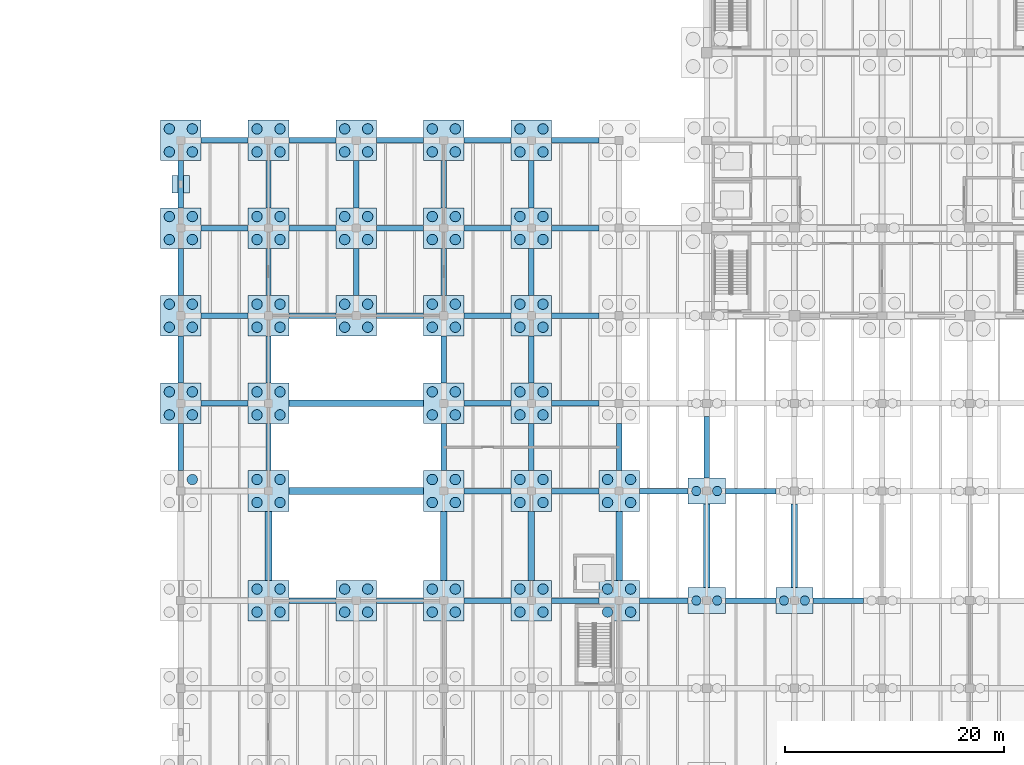
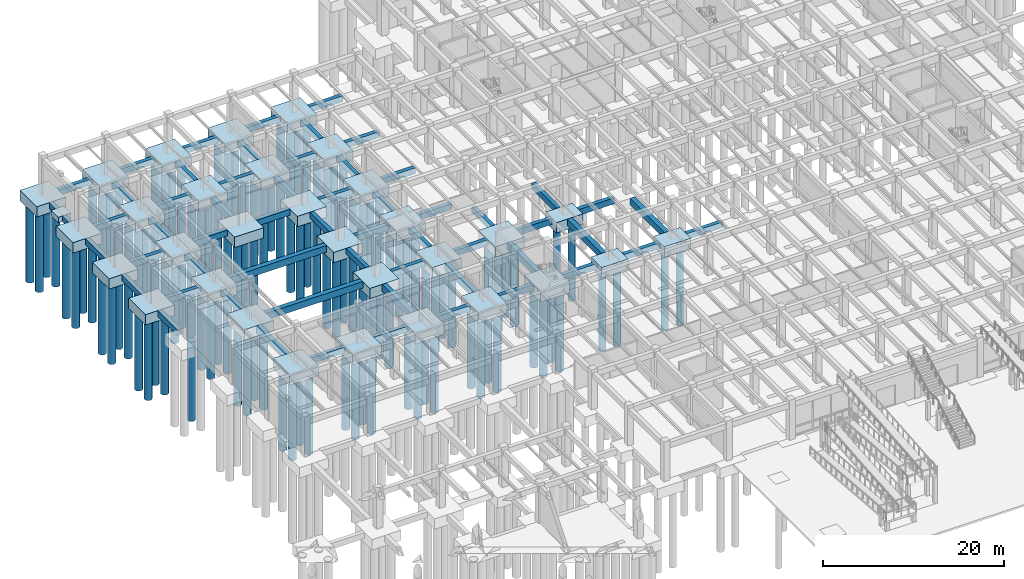
# One storey, part 4 of 44: 119 piles, 89 footings.
"""IFC4 building model written with IfcOpenShell, lengths in metres."""

from ifc_helpers import new_model, si_unit, direction, frame, origin, origin_2d, place, context, subcontext, project, spatial, rectangle, circle, extrude, material, material_profile, profile_set, type_object, element, save


model = new_model("IFC4")

# Units and contexts
model_context = context("Model", 3, precision=1e-05, world=origin(), true_north=direction((0.0, 1.0)))
body_context = subcontext(model_context, "Body", "Model", "MODEL_VIEW")
ifc_project = project(units=[si_unit("LENGTHUNIT", "METRE"), si_unit("AREAUNIT", "SQUARE_METRE"), si_unit("VOLUMEUNIT", "CUBIC_METRE"), si_unit("PLANEANGLEUNIT", "RADIAN"), si_unit("MASSUNIT", "GRAM", prefix="KILO")], contexts=[model_context])

# Site, building, storey
site_placement = place(None, origin())
site = spatial("IfcSite", under=ifc_project, at=site_placement, CompositionType="ELEMENT")
building_placement = place(site_placement, origin())
building = spatial("IfcBuilding", under=site, at=building_placement, Name="Pecanmere Concourse Central Library", CompositionType="ELEMENT")
storey_placement = place(building_placement, frame((0.0, 0.0, -5.39990234375)))
storey = spatial("IfcBuildingStorey", under=building, at=storey_placement, Name="B1", CompositionType="ELEMENT", Elevation=-5.39990234375)

# Footings
ifc_material_1 = material(Name="Concrete C40/50", Category="concrete")
ifc_material_profile_1 = material_profile(ifc_material_1, rectangle(XDim=0.5, YDim=0.800048828125, at=origin_2d()), Name="RC 500x800")
ifc_profile_set_1 = profile_set([ifc_material_profile_1], Name="Concrete C40/50")
footing_type_1 = type_object("IfcFootingType", Name="GBEAM_500x800", PredefinedType="FOOTING_BEAM", material=ifc_profile_set_1)
for number, where, z_axis, x_axis, name in (
    (1, (36.0, 64.0, -0.80029296875), (0.0, 0.0, 1.0), (1.0, 0.0, 0.0), "Foundation Tie Beam X-122"),
    (2, (44.0, 64.0, -0.80029296875), (0.0, 0.0, 1.0), (1.0, 0.0, 0.0), "Foundation Tie Beam X-123"),
    (3, (52.0, 64.0, -0.80029296875), (0.0, 0.0, 1.0), (1.0, 0.0, 0.0), "Foundation Tie Beam X-124"),
    (4, (60.0, 64.0, -0.80029296875), (0.0, 0.0, 1.0), (1.0, 0.0, 0.0), "Foundation Tie Beam X-125"),
):
    element("IfcFooting", number, at=place(storey_placement, frame(where, z_axis=z_axis, x_axis=x_axis)), inside=storey, type_object=footing_type_1, Name=name, PredefinedType="FOOTING_BEAM", context=body_context, shape_type="SweptSolid", body=[
        extrude(rectangle(XDim=4.300048828125, YDim=0.5, at=origin_2d()), origin(), (0.0, 0.0, 1.0), 0.800048828125),
    ])
footing_1_placement = place(storey_placement, frame((68.074951171875, 64.0, -0.80029296875), z_axis=(0.0, 0.0, 1.0), x_axis=(1.0, 0.0, 0.0)))
element("IfcFooting", 5, at=footing_1_placement, inside=storey, type_object=footing_type_1, Name="Foundation Tie Beam X-126", PredefinedType="FOOTING_BEAM", context=body_context, shape_type="SweptSolid", body=[
    extrude(rectangle(XDim=4.449951171875, YDim=0.5, at=origin_2d()), origin(), (0.0, 0.0, 1.0), 0.800048828125),
])
for number, where, z_axis, x_axis, name in (
    (6, (76.0, 64.0, -0.80029296875), (0.0, 0.0, 1.0), (1.0, 0.0, 0.0), "Foundation Tie Beam X-127"),
    (7, (84.0, 64.0, -0.80029296875), (0.0, 0.0, 1.0), (1.0, 0.0, 0.0), "Foundation Tie Beam X-128"),
):
    element("IfcFooting", number, at=place(storey_placement, frame(where, z_axis=z_axis, x_axis=x_axis)), inside=storey, type_object=footing_type_1, Name=name, PredefinedType="FOOTING_BEAM", context=body_context, shape_type="SweptSolid", body=[
        extrude(rectangle(XDim=4.60009765625, YDim=0.5, at=origin_2d()), origin(), (0.0, 0.0, 1.0), 0.800048828125),
    ])
for number, where, z_axis, x_axis, name in (
    (8, (52.0, 74.0, -0.80029296875), (0.0, 0.0, 1.0), (1.0, 0.0, 0.0), "Foundation Tie Beam X-139"),
    (9, (60.0, 74.0, -0.80029296875), (0.0, 0.0, 1.0), (1.0, 0.0, 0.0), "Foundation Tie Beam X-140"),
):
    element("IfcFooting", number, at=place(storey_placement, frame(where, z_axis=z_axis, x_axis=x_axis)), inside=storey, type_object=footing_type_1, Name=name, PredefinedType="FOOTING_BEAM", context=body_context, shape_type="SweptSolid", body=[
        extrude(rectangle(XDim=4.300048828125, YDim=0.5, at=origin_2d()), origin(), (0.0, 0.0, 1.0), 0.800048828125),
    ])
footing_2_placement = place(storey_placement, frame((68.074951171875, 74.0, -0.80029296875), z_axis=(0.0, 0.0, 1.0), x_axis=(1.0, 0.0, 0.0)))
element("IfcFooting", 10, at=footing_2_placement, inside=storey, type_object=footing_type_1, Name="Foundation Tie Beam X-141", PredefinedType="FOOTING_BEAM", context=body_context, shape_type="SweptSolid", body=[
    extrude(rectangle(XDim=4.449951171875, YDim=0.5, at=origin_2d()), origin(), (0.0, 0.0, 1.0), 0.800048828125),
])
footing_3_placement = place(storey_placement, frame((76.0, 74.0, -0.80029296875), z_axis=(0.0, 0.0, 1.0), x_axis=(1.0, 0.0, 0.0)))
element("IfcFooting", 11, at=footing_3_placement, inside=storey, type_object=footing_type_1, Name="Foundation Tie Beam X-142", PredefinedType="FOOTING_BEAM", context=body_context, shape_type="SweptSolid", body=[
    extrude(rectangle(XDim=4.60009765625, YDim=0.5, at=origin_2d()), origin(), (0.0, 0.0, 1.0), 0.800048828125),
])
for number, where, z_axis, x_axis, name in (
    (12, (28.0, 82.0, -0.80029296875), (0.0, 0.0, 1.0), (1.0, 0.0, 0.0), "Foundation Tie Beam X-151"),
    (13, (52.0, 82.0, -0.80029296875), (0.0, 0.0, 1.0), (1.0, 0.0, 0.0), "Foundation Tie Beam X-153"),
    (14, (60.0, 82.0, -0.80029296875), (0.0, 0.0, 1.0), (1.0, 0.0, 0.0), "Foundation Tie Beam X-154"),
    (15, (28.0, 90.0, -0.80029296875), (0.0, 0.0, 1.0), (1.0, 0.0, 0.0), "Foundation Tie Beam X-165"),
    (16, (36.0, 90.0, -0.80029296875), (0.0, 0.0, 1.0), (1.0, 0.0, 0.0), "Foundation Tie Beam X-166"),
    (17, (44.0, 90.0, -0.80029296875), (0.0, 0.0, 1.0), (1.0, 0.0, 0.0), "Foundation Tie Beam X-167"),
    (18, (52.0, 90.0, -0.80029296875), (0.0, 0.0, 1.0), (1.0, 0.0, 0.0), "Foundation Tie Beam X-168"),
    (19, (60.0, 90.0, -0.80029296875), (0.0, 0.0, 1.0), (1.0, 0.0, 0.0), "Foundation Tie Beam X-169"),
    (20, (28.0, 98.0, -0.80029296875), (0.0, 0.0, 1.0), (1.0, 0.0, 0.0), "Foundation Tie Beam X-181"),
    (21, (36.0, 98.0, -0.80029296875), (0.0, 0.0, 1.0), (1.0, 0.0, 0.0), "Foundation Tie Beam X-182"),
    (22, (44.0, 98.0, -0.80029296875), (0.0, 0.0, 1.0), (1.0, 0.0, 0.0), "Foundation Tie Beam X-183"),
    (23, (52.0, 98.0, -0.80029296875), (0.0, 0.0, 1.0), (1.0, 0.0, 0.0), "Foundation Tie Beam X-184"),
    (24, (60.0, 98.0, -0.80029296875), (0.0, 0.0, 1.0), (1.0, 0.0, 0.0), "Foundation Tie Beam X-185"),
    (25, (28.0, 106.0, -0.80029296875), (0.0, 0.0, 1.0), (1.0, 0.0, 0.0), "Foundation Tie Beam X-197"),
    (26, (36.0, 106.0, -0.80029296875), (0.0, 0.0, 1.0), (1.0, 0.0, 0.0), "Foundation Tie Beam X-198"),
    (27, (44.0, 106.0, -0.80029296875), (0.0, 0.0, 1.0), (1.0, 0.0, 0.0), "Foundation Tie Beam X-199"),
    (28, (52.0, 106.0, -0.80029296875), (0.0, 0.0, 1.0), (1.0, 0.0, 0.0), "Foundation Tie Beam X-200"),
    (29, (60.0, 106.0, -0.80029296875), (0.0, 0.0, 1.0), (1.0, 0.0, 0.0), "Foundation Tie Beam X-201"),
    (30, (24.0, 78.0, -0.80029296875), (0.0, 0.0, 1.0), (0.0, 1.0, 0.0), "Foundation Tie Beam Y-241"),
    (31, (24.0, 86.0, -0.80029296875), (0.0, 0.0, 1.0), (0.0, 1.0, 0.0), "Foundation Tie Beam Y-242"),
    (32, (24.0, 94.0, -0.80029296875), (0.0, 0.0, 1.0), (0.0, 1.0, 0.0), "Foundation Tie Beam Y-243"),
    (33, (24.0, 102.0, -0.80029296875), (0.0, 0.0, 1.0), (0.0, 1.0, 0.0), "Foundation Tie Beam Y-244"),
    (34, (32.0, 78.0, -0.80029296875), (0.0, 0.0, 1.0), (0.0, 1.0, 0.0), "Foundation Tie Beam Y-253"),
    (35, (32.0, 86.0, -0.80029296875), (0.0, 0.0, 1.0), (0.0, 1.0, 0.0), "Foundation Tie Beam Y-254"),
    (36, (32.0, 94.0, -0.80029296875), (0.0, 0.0, 1.0), (0.0, 1.0, 0.0), "Foundation Tie Beam Y-255"),
    (37, (32.0, 102.0, -0.80029296875), (0.0, 0.0, 1.0), (0.0, 1.0, 0.0), "Foundation Tie Beam Y-256"),
    (38, (40.0, 94.0, -0.80029296875), (0.0, 0.0, 1.0), (0.0, 1.0, 0.0), "Foundation Tie Beam Y-264"),
    (39, (40.0, 102.0, -0.80029296875), (0.0, 0.0, 1.0), (0.0, 1.0, 0.0), "Foundation Tie Beam Y-265"),
    (40, (48.0, 78.0, -0.80029296875), (0.0, 0.0, 1.0), (0.0, 1.0, 0.0), "Foundation Tie Beam Y-274"),
    (41, (48.0, 86.0, -0.80029296875), (0.0, 0.0, 1.0), (0.0, 1.0, 0.0), "Foundation Tie Beam Y-275"),
    (42, (48.0, 94.0, -0.80029296875), (0.0, 0.0, 1.0), (0.0, 1.0, 0.0), "Foundation Tie Beam Y-276"),
    (43, (48.0, 102.0, -0.80029296875), (0.0, 0.0, 1.0), (0.0, 1.0, 0.0), "Foundation Tie Beam Y-277"),
    (44, (56.0, 78.0, -0.80029296875), (0.0, 0.0, 1.0), (0.0, 1.0, 0.0), "Foundation Tie Beam Y-284"),
    (45, (56.0, 86.0, -0.80029296875), (0.0, 0.0, 1.0), (0.0, 1.0, 0.0), "Foundation Tie Beam Y-285"),
    (46, (56.0, 94.0, -0.80029296875), (0.0, 0.0, 1.0), (0.0, 1.0, 0.0), "Foundation Tie Beam Y-286"),
    (47, (56.0, 102.0, -0.80029296875), (0.0, 0.0, 1.0), (0.0, 1.0, 0.0), "Foundation Tie Beam Y-287"),
    (48, (64.0, 78.0, -0.80029296875), (0.0, 0.0, 1.0), (0.0, 1.0, 0.0), "Foundation Tie Beam Y-294"),
):
    element("IfcFooting", number, at=place(storey_placement, frame(where, z_axis=z_axis, x_axis=x_axis)), inside=storey, type_object=footing_type_1, Name=name, PredefinedType="FOOTING_BEAM", context=body_context, shape_type="SweptSolid", body=[
        extrude(rectangle(XDim=4.300048828125, YDim=0.5, at=origin_2d()), origin(), (0.0, 0.0, 1.0), 0.800048828125),
    ])
footing_4_placement = place(storey_placement, frame((72.0, 78.0, -0.80029296875), z_axis=(0.0, 0.0, 1.0), x_axis=(0.0, 1.0, 0.0)))
element("IfcFooting", 49, at=footing_4_placement, inside=storey, type_object=footing_type_1, Name="Foundation Tie Beam Y-304", PredefinedType="FOOTING_BEAM", context=body_context, shape_type="SweptSolid", body=[
    extrude(rectangle(XDim=5.60009765625, YDim=0.5, at=origin_2d()), origin(), (0.0, 0.0, 1.0), 0.800048828125),
])
ifc_material_2 = material(Name="Concrete C40/50", Category="concrete")
ifc_material_profile_2 = material_profile(ifc_material_2, rectangle(XDim=0.60009765625, YDim=0.89990234375, at=origin_2d()), Name="RC 600x900")
ifc_profile_set_2 = profile_set([ifc_material_profile_2], Name="Concrete C40/50")
footing_type_2 = type_object("IfcFootingType", Name="GBEAM_600x900", PredefinedType="FOOTING_BEAM", material=ifc_profile_set_2)
for number, where, z_axis, x_axis, name in (
    (50, (40.0, 74.0, -0.900146484375), (0.0, 0.0, 1.0), (1.0, 0.0, 0.0), "Foundation Tie Beam X-138"),
    (51, (40.0, 82.0, -0.900146484375), (0.0, 0.0, 1.0), (1.0, 0.0, 0.0), "Foundation Tie Beam X-152"),
):
    element("IfcFooting", number, at=place(storey_placement, frame(where, z_axis=z_axis, x_axis=x_axis)), inside=storey, type_object=footing_type_2, Name=name, PredefinedType="FOOTING_BEAM", context=body_context, shape_type="SweptSolid", body=[
        extrude(rectangle(XDim=12.300048828125, YDim=0.60009765625, at=origin_2d()), origin(), (0.0, 0.0, 1.0), 0.89990234375),
    ])
for number, where, z_axis, x_axis, name in (
    (52, (32.0, 69.0, -0.900146484375), (0.0, 0.0, 1.0), (0.0, 1.0, 0.0), "Foundation Tie Beam Y-252"),
    (53, (48.0, 69.0, -0.900146484375), (0.0, 0.0, 1.0), (0.0, 1.0, 0.0), "Foundation Tie Beam Y-273"),
    (54, (56.0, 69.0, -0.900146484375), (0.0, 0.0, 1.0), (0.0, 1.0, 0.0), "Foundation Tie Beam Y-283"),
    (55, (64.0, 69.0, -0.900146484375), (0.0, 0.0, 1.0), (0.0, 1.0, 0.0), "Foundation Tie Beam Y-293"),
):
    element("IfcFooting", number, at=place(storey_placement, frame(where, z_axis=z_axis, x_axis=x_axis)), inside=storey, type_object=footing_type_2, Name=name, PredefinedType="FOOTING_BEAM", context=body_context, shape_type="SweptSolid", body=[
        extrude(rectangle(XDim=6.300048828125, YDim=0.60009765625, at=origin_2d()), origin(), (0.0, 0.0, 1.0), 0.89990234375),
    ])
for number, where, z_axis, x_axis, name in (
    (56, (72.0, 69.0, -0.900146484375), (0.0, 0.0, 1.0), (0.0, 1.0, 0.0), "Foundation Tie Beam Y-303"),
    (57, (80.0, 69.0, -0.900146484375), (0.0, 0.0, 1.0), (0.0, 1.0, 0.0), "Foundation Tie Beam Y-315"),
):
    element("IfcFooting", number, at=place(storey_placement, frame(where, z_axis=z_axis, x_axis=x_axis)), inside=storey, type_object=footing_type_2, Name=name, PredefinedType="FOOTING_BEAM", context=body_context, shape_type="SweptSolid", body=[
        extrude(rectangle(XDim=7.60009765625, YDim=0.60009765625, at=origin_2d()), origin(), (0.0, 0.0, 1.0), 0.89990234375),
    ])
ifc_material_3 = material(Name="Concrete C35/45", Category="concrete")
footing_type_3 = type_object("IfcFootingType", Name="PAD_1600x1600", PredefinedType="PAD_FOOTING", material=ifc_material_3)
footing_5_placement = place(storey_placement, frame((24.0, 102.0, -0.75), z_axis=(0.0, 0.0, 1.0), x_axis=(1.0, 0.0, 0.0)))
element("IfcFooting", 58, at=footing_5_placement, inside=storey, type_object=footing_type_3, Name="Pilaster Pad Footing 02", PredefinedType="PAD_FOOTING", context=body_context, shape_type="SweptSolid", body=[
    extrude(rectangle(XDim=1.60009765625, YDim=1.60009765625, at=origin_2d()), origin(), (0.0, 0.0, 1.0), 0.75),
])
ifc_material_4 = material(Name="Concrete C40/50", Category="concrete")
footing_type_4 = type_object("IfcFootingType", Name="PCAP_3400x2400", PredefinedType="PILE_CAP", material=ifc_material_4)
for number, where, z_axis, x_axis, name in (
    (59, (72.0, 64.0, -1.400146484375), (0.0, 0.0, 1.0), (1.0, 0.0, 0.0), "Drilled Pier Cap PC-05 at (72,64)"),
    (60, (72.0, 74.0, -1.400146484375), (0.0, 0.0, 1.0), (1.0, 0.0, 0.0), "Drilled Pier Cap PC-05 at (72,74)"),
    (61, (80.0, 64.0, -1.400146484375), (0.0, 0.0, 1.0), (1.0, 0.0, 0.0), "Drilled Pier Cap PC-05 at (80,64)"),
):
    element("IfcFooting", number, at=place(storey_placement, frame(where, z_axis=z_axis, x_axis=x_axis)), inside=storey, type_object=footing_type_4, Name=name, PredefinedType="PILE_CAP", context=body_context, shape_type="SweptSolid", body=[
        extrude(rectangle(XDim=3.39990234375, YDim=2.39990234375, at=origin_2d()), origin(), (0.0, 0.0, 1.0), 1.39990234375),
    ])
ifc_material_5 = material(Name="Concrete C40/50", Category="concrete")
footing_type_5 = type_object("IfcFootingType", Name="PCAP_3700x3700", PredefinedType="PILE_CAP", material=ifc_material_5)
for number, where, z_axis, x_axis, name in (
    (62, (24.0, 82.0, -1.400146484375), (0.0, 0.0, 1.0), (1.0, 0.0, 0.0), "Drilled Pier Cap PC-03 at (24,82)"),
    (63, (24.0, 90.0, -1.400146484375), (0.0, 0.0, 1.0), (1.0, 0.0, 0.0), "Drilled Pier Cap PC-03 at (24,90)"),
    (64, (24.0, 98.0, -1.400146484375), (0.0, 0.0, 1.0), (1.0, 0.0, 0.0), "Drilled Pier Cap PC-03 at (24,98)"),
    (65, (24.0, 106.0, -1.400146484375), (0.0, 0.0, 1.0), (1.0, 0.0, 0.0), "Drilled Pier Cap PC-03 at (24,106)"),
    (66, (32.0, 64.0, -1.400146484375), (0.0, 0.0, 1.0), (1.0, 0.0, 0.0), "Drilled Pier Cap PC-03 at (32,64)"),
    (67, (32.0, 74.0, -1.400146484375), (0.0, 0.0, 1.0), (1.0, 0.0, 0.0), "Drilled Pier Cap PC-03 at (32,74)"),
    (68, (32.0, 82.0, -1.400146484375), (0.0, 0.0, 1.0), (1.0, 0.0, 0.0), "Drilled Pier Cap PC-03 at (32,82)"),
    (69, (32.0, 90.0, -1.400146484375), (0.0, 0.0, 1.0), (1.0, 0.0, 0.0), "Drilled Pier Cap PC-03 at (32,90)"),
    (70, (32.0, 98.0, -1.400146484375), (0.0, 0.0, 1.0), (1.0, 0.0, 0.0), "Drilled Pier Cap PC-03 at (32,98)"),
    (71, (32.0, 106.0, -1.400146484375), (0.0, 0.0, 1.0), (1.0, 0.0, 0.0), "Drilled Pier Cap PC-03 at (32,106)"),
    (72, (40.0, 64.0, -1.400146484375), (0.0, 0.0, 1.0), (1.0, 0.0, 0.0), "Drilled Pier Cap PC-03 at (40,64)"),
    (73, (40.0, 90.0, -1.400146484375), (0.0, 0.0, 1.0), (1.0, 0.0, 0.0), "Drilled Pier Cap PC-03 at (40,90)"),
    (74, (40.0, 98.0, -1.400146484375), (0.0, 0.0, 1.0), (1.0, 0.0, 0.0), "Drilled Pier Cap PC-03 at (40,98)"),
    (75, (40.0, 106.0, -1.400146484375), (0.0, 0.0, 1.0), (1.0, 0.0, 0.0), "Drilled Pier Cap PC-03 at (40,106)"),
    (76, (48.0, 64.0, -1.400146484375), (0.0, 0.0, 1.0), (1.0, 0.0, 0.0), "Drilled Pier Cap PC-03 at (48,64)"),
    (77, (48.0, 74.0, -1.400146484375), (0.0, 0.0, 1.0), (1.0, 0.0, 0.0), "Drilled Pier Cap PC-03 at (48,74)"),
    (78, (48.0, 82.0, -1.400146484375), (0.0, 0.0, 1.0), (1.0, 0.0, 0.0), "Drilled Pier Cap PC-03 at (48,82)"),
    (79, (48.0, 90.0, -1.400146484375), (0.0, 0.0, 1.0), (1.0, 0.0, 0.0), "Drilled Pier Cap PC-03 at (48,90)"),
    (80, (48.0, 98.0, -1.400146484375), (0.0, 0.0, 1.0), (1.0, 0.0, 0.0), "Drilled Pier Cap PC-03 at (48,98)"),
    (81, (48.0, 106.0, -1.400146484375), (0.0, 0.0, 1.0), (1.0, 0.0, 0.0), "Drilled Pier Cap PC-03 at (48,106)"),
    (82, (56.0, 64.0, -1.400146484375), (0.0, 0.0, 1.0), (1.0, 0.0, 0.0), "Drilled Pier Cap PC-03 at (56,64)"),
    (83, (56.0, 74.0, -1.400146484375), (0.0, 0.0, 1.0), (1.0, 0.0, 0.0), "Drilled Pier Cap PC-03 at (56,74)"),
    (84, (56.0, 82.0, -1.400146484375), (0.0, 0.0, 1.0), (1.0, 0.0, 0.0), "Drilled Pier Cap PC-03 at (56,82)"),
    (85, (56.0, 90.0, -1.400146484375), (0.0, 0.0, 1.0), (1.0, 0.0, 0.0), "Drilled Pier Cap PC-03 at (56,90)"),
    (86, (56.0, 98.0, -1.400146484375), (0.0, 0.0, 1.0), (1.0, 0.0, 0.0), "Drilled Pier Cap PC-03 at (56,98)"),
    (87, (56.0, 106.0, -1.400146484375), (0.0, 0.0, 1.0), (1.0, 0.0, 0.0), "Drilled Pier Cap PC-03 at (56,106)"),
    (88, (64.0, 64.0, -1.400146484375), (0.0, 0.0, 1.0), (1.0, 0.0, 0.0), "Drilled Pier Cap PC-03 at (64,64)"),
    (89, (64.0, 74.0, -1.400146484375), (0.0, 0.0, 1.0), (1.0, 0.0, 0.0), "Drilled Pier Cap PC-03 at (64,74)"),
):
    element("IfcFooting", number, at=place(storey_placement, frame(where, z_axis=z_axis, x_axis=x_axis)), inside=storey, type_object=footing_type_5, Name=name, PredefinedType="PILE_CAP", context=body_context, shape_type="SweptSolid", body=[
        extrude(rectangle(XDim=3.699951171875, YDim=3.699951171875, at=origin_2d()), origin(), (0.0, 0.0, 1.0), 1.39990234375),
    ])

# Piles
ifc_material_6 = material(Name="Concrete C35/45", Category="concrete")
ifc_material_profile_3 = material_profile(ifc_material_6, circle(Radius=0.425048828125, at=origin_2d()), Name="PIER D850")
ifc_profile_set_3 = profile_set([ifc_material_profile_3], Name="Concrete C35/45")
pile_type_1 = type_object("IfcPileType", Name="PILE_D850", PredefinedType="BORED", material=ifc_profile_set_3)
for number, where, z_axis, x_axis, name in (
    (90, (71.050048828125, 64.0, -1.300048828125), (0.0, 0.0, -1.0), (1.0, 0.0, 0.0), "Bored Pier PL-05 093.1"),
    (91, (72.949951171875, 64.0, -1.300048828125), (0.0, 0.0, -1.0), (1.0, 0.0, 0.0), "Bored Pier PL-05 093.2"),
    (92, (71.050048828125, 74.0, -1.300048828125), (0.0, 0.0, -1.0), (1.0, 0.0, 0.0), "Bored Pier PL-05 094.1"),
    (93, (72.949951171875, 74.0, -1.300048828125), (0.0, 0.0, -1.0), (1.0, 0.0, 0.0), "Bored Pier PL-05 094.2"),
    (94, (79.050048828125, 64.0, -1.300048828125), (0.0, 0.0, -1.0), (1.0, 0.0, 0.0), "Bored Pier PL-05 106.1"),
    (95, (80.949951171875, 64.0, -1.300048828125), (0.0, 0.0, -1.0), (1.0, 0.0, 0.0), "Bored Pier PL-05 106.2"),
):
    element("IfcPile", number, at=place(storey_placement, frame(where, z_axis=z_axis, x_axis=x_axis)), inside=storey, type_object=pile_type_1, Name=name, PredefinedType="BORED", context=body_context, shape_type="SweptSolid", body=[
        extrude(circle(Radius=0.425048828125, at=origin_2d()), origin(), (0.0, 0.0, 1.0), 10.699951171875),
    ])
ifc_material_7 = material(Name="Concrete C35/45", Category="concrete")
ifc_material_profile_4 = material_profile(ifc_material_7, circle(Radius=0.47509765625, at=origin_2d()), Name="PIER D950")
ifc_profile_set_4 = profile_set([ifc_material_profile_4], Name="Concrete C35/45")
pile_type_2 = type_object("IfcPileType", Name="PILE_D950", PredefinedType="BORED", material=ifc_profile_set_4)
for number, where, z_axis, x_axis, name in (
    (96, (25.050048828125, 75.050048828125, -1.300048828125), (0.0, 0.0, -1.0), (1.0, 0.0, 0.0), "Bored Pier PL-04 024.4"),
    (97, (22.949951171875, 80.949951171875, -1.300048828125), (0.0, 0.0, -1.0), (1.0, 0.0, 0.0), "Bored Pier PL-04 025.1"),
    (98, (25.050048828125, 80.949951171875, -1.300048828125), (0.0, 0.0, -1.0), (1.0, 0.0, 0.0), "Bored Pier PL-04 025.2"),
    (99, (22.949951171875, 83.050048828125, -1.300048828125), (0.0, 0.0, -1.0), (1.0, 0.0, 0.0), "Bored Pier PL-04 025.3"),
    (100, (25.050048828125, 83.050048828125, -1.300048828125), (0.0, 0.0, -1.0), (1.0, 0.0, 0.0), "Bored Pier PL-04 025.4"),
    (101, (22.949951171875, 88.949951171875, -1.300048828125), (0.0, 0.0, -1.0), (1.0, 0.0, 0.0), "Bored Pier PL-04 026.1"),
    (102, (25.050048828125, 88.949951171875, -1.300048828125), (0.0, 0.0, -1.0), (1.0, 0.0, 0.0), "Bored Pier PL-04 026.2"),
    (103, (22.949951171875, 91.050048828125, -1.300048828125), (0.0, 0.0, -1.0), (1.0, 0.0, 0.0), "Bored Pier PL-04 026.3"),
    (104, (25.050048828125, 91.050048828125, -1.300048828125), (0.0, 0.0, -1.0), (1.0, 0.0, 0.0), "Bored Pier PL-04 026.4"),
    (105, (22.949951171875, 96.949951171875, -1.300048828125), (0.0, 0.0, -1.0), (1.0, 0.0, 0.0), "Bored Pier PL-04 027.1"),
    (106, (25.050048828125, 96.949951171875, -1.300048828125), (0.0, 0.0, -1.0), (1.0, 0.0, 0.0), "Bored Pier PL-04 027.2"),
    (107, (22.949951171875, 99.050048828125, -1.300048828125), (0.0, 0.0, -1.0), (1.0, 0.0, 0.0), "Bored Pier PL-04 027.3"),
    (108, (25.050048828125, 99.050048828125, -1.300048828125), (0.0, 0.0, -1.0), (1.0, 0.0, 0.0), "Bored Pier PL-04 027.4"),
    (109, (22.949951171875, 104.949951171875, -1.300048828125), (0.0, 0.0, -1.0), (1.0, 0.0, 0.0), "Bored Pier PL-04 028.1"),
    (110, (25.050048828125, 104.949951171875, -1.300048828125), (0.0, 0.0, -1.0), (1.0, 0.0, 0.0), "Bored Pier PL-04 028.2"),
    (111, (22.949951171875, 107.050048828125, -1.300048828125), (0.0, 0.0, -1.0), (1.0, 0.0, 0.0), "Bored Pier PL-04 028.3"),
    (112, (25.050048828125, 107.050048828125, -1.300048828125), (0.0, 0.0, -1.0), (1.0, 0.0, 0.0), "Bored Pier PL-04 028.4"),
    (113, (30.949951171875, 62.949951171875, -1.300048828125), (0.0, 0.0, -1.0), (1.0, 0.0, 0.0), "Bored Pier PL-04 036.1"),
    (114, (33.050048828125, 62.949951171875, -1.300048828125), (0.0, 0.0, -1.0), (1.0, 0.0, 0.0), "Bored Pier PL-04 036.2"),
    (115, (30.949951171875, 65.050048828125, -1.300048828125), (0.0, 0.0, -1.0), (1.0, 0.0, 0.0), "Bored Pier PL-04 036.3"),
    (116, (33.050048828125, 65.050048828125, -1.300048828125), (0.0, 0.0, -1.0), (1.0, 0.0, 0.0), "Bored Pier PL-04 036.4"),
    (117, (30.949951171875, 72.949951171875, -1.300048828125), (0.0, 0.0, -1.0), (1.0, 0.0, 0.0), "Bored Pier PL-04 037.1"),
    (118, (33.050048828125, 72.949951171875, -1.300048828125), (0.0, 0.0, -1.0), (1.0, 0.0, 0.0), "Bored Pier PL-04 037.2"),
    (119, (30.949951171875, 75.050048828125, -1.300048828125), (0.0, 0.0, -1.0), (1.0, 0.0, 0.0), "Bored Pier PL-04 037.3"),
    (120, (33.050048828125, 75.050048828125, -1.300048828125), (0.0, 0.0, -1.0), (1.0, 0.0, 0.0), "Bored Pier PL-04 037.4"),
    (121, (30.949951171875, 80.949951171875, -1.300048828125), (0.0, 0.0, -1.0), (1.0, 0.0, 0.0), "Bored Pier PL-04 038.1"),
    (122, (33.050048828125, 80.949951171875, -1.300048828125), (0.0, 0.0, -1.0), (1.0, 0.0, 0.0), "Bored Pier PL-04 038.2"),
    (123, (30.949951171875, 83.050048828125, -1.300048828125), (0.0, 0.0, -1.0), (1.0, 0.0, 0.0), "Bored Pier PL-04 038.3"),
    (124, (33.050048828125, 83.050048828125, -1.300048828125), (0.0, 0.0, -1.0), (1.0, 0.0, 0.0), "Bored Pier PL-04 038.4"),
    (125, (30.949951171875, 88.949951171875, -1.300048828125), (0.0, 0.0, -1.0), (1.0, 0.0, 0.0), "Bored Pier PL-04 039.1"),
    (126, (33.050048828125, 88.949951171875, -1.300048828125), (0.0, 0.0, -1.0), (1.0, 0.0, 0.0), "Bored Pier PL-04 039.2"),
    (127, (30.949951171875, 91.050048828125, -1.300048828125), (0.0, 0.0, -1.0), (1.0, 0.0, 0.0), "Bored Pier PL-04 039.3"),
    (128, (33.050048828125, 91.050048828125, -1.300048828125), (0.0, 0.0, -1.0), (1.0, 0.0, 0.0), "Bored Pier PL-04 039.4"),
    (129, (30.949951171875, 96.949951171875, -1.300048828125), (0.0, 0.0, -1.0), (1.0, 0.0, 0.0), "Bored Pier PL-04 040.1"),
    (130, (33.050048828125, 96.949951171875, -1.300048828125), (0.0, 0.0, -1.0), (1.0, 0.0, 0.0), "Bored Pier PL-04 040.2"),
    (131, (30.949951171875, 99.050048828125, -1.300048828125), (0.0, 0.0, -1.0), (1.0, 0.0, 0.0), "Bored Pier PL-04 040.3"),
    (132, (33.050048828125, 99.050048828125, -1.300048828125), (0.0, 0.0, -1.0), (1.0, 0.0, 0.0), "Bored Pier PL-04 040.4"),
    (133, (30.949951171875, 104.949951171875, -1.300048828125), (0.0, 0.0, -1.0), (1.0, 0.0, 0.0), "Bored Pier PL-04 041.1"),
    (134, (33.050048828125, 104.949951171875, -1.300048828125), (0.0, 0.0, -1.0), (1.0, 0.0, 0.0), "Bored Pier PL-04 041.2"),
    (135, (30.949951171875, 107.050048828125, -1.300048828125), (0.0, 0.0, -1.0), (1.0, 0.0, 0.0), "Bored Pier PL-04 041.3"),
    (136, (33.050048828125, 107.050048828125, -1.300048828125), (0.0, 0.0, -1.0), (1.0, 0.0, 0.0), "Bored Pier PL-04 041.4"),
    (137, (38.949951171875, 62.949951171875, -1.300048828125), (0.0, 0.0, -1.0), (1.0, 0.0, 0.0), "Bored Pier PL-04 049.1"),
    (138, (41.050048828125, 62.949951171875, -1.300048828125), (0.0, 0.0, -1.0), (1.0, 0.0, 0.0), "Bored Pier PL-04 049.2"),
    (139, (38.949951171875, 65.050048828125, -1.300048828125), (0.0, 0.0, -1.0), (1.0, 0.0, 0.0), "Bored Pier PL-04 049.3"),
    (140, (41.050048828125, 65.050048828125, -1.300048828125), (0.0, 0.0, -1.0), (1.0, 0.0, 0.0), "Bored Pier PL-04 049.4"),
    (141, (38.949951171875, 88.949951171875, -1.300048828125), (0.0, 0.0, -1.0), (1.0, 0.0, 0.0), "Bored Pier PL-04 050.1"),
    (142, (41.050048828125, 88.949951171875, -1.300048828125), (0.0, 0.0, -1.0), (1.0, 0.0, 0.0), "Bored Pier PL-04 050.2"),
    (143, (38.949951171875, 91.050048828125, -1.300048828125), (0.0, 0.0, -1.0), (1.0, 0.0, 0.0), "Bored Pier PL-04 050.3"),
    (144, (41.050048828125, 91.050048828125, -1.300048828125), (0.0, 0.0, -1.0), (1.0, 0.0, 0.0), "Bored Pier PL-04 050.4"),
    (145, (38.949951171875, 96.949951171875, -1.300048828125), (0.0, 0.0, -1.0), (1.0, 0.0, 0.0), "Bored Pier PL-04 051.1"),
    (146, (41.050048828125, 96.949951171875, -1.300048828125), (0.0, 0.0, -1.0), (1.0, 0.0, 0.0), "Bored Pier PL-04 051.2"),
    (147, (38.949951171875, 99.050048828125, -1.300048828125), (0.0, 0.0, -1.0), (1.0, 0.0, 0.0), "Bored Pier PL-04 051.3"),
    (148, (41.050048828125, 99.050048828125, -1.300048828125), (0.0, 0.0, -1.0), (1.0, 0.0, 0.0), "Bored Pier PL-04 051.4"),
    (149, (38.949951171875, 104.949951171875, -1.300048828125), (0.0, 0.0, -1.0), (1.0, 0.0, 0.0), "Bored Pier PL-04 052.1"),
    (150, (41.050048828125, 104.949951171875, -1.300048828125), (0.0, 0.0, -1.0), (1.0, 0.0, 0.0), "Bored Pier PL-04 052.2"),
    (151, (38.949951171875, 107.050048828125, -1.300048828125), (0.0, 0.0, -1.0), (1.0, 0.0, 0.0), "Bored Pier PL-04 052.3"),
    (152, (41.050048828125, 107.050048828125, -1.300048828125), (0.0, 0.0, -1.0), (1.0, 0.0, 0.0), "Bored Pier PL-04 052.4"),
    (153, (46.949951171875, 62.949951171875, -1.300048828125), (0.0, 0.0, -1.0), (1.0, 0.0, 0.0), "Bored Pier PL-04 060.1"),
    (154, (49.050048828125, 62.949951171875, -1.300048828125), (0.0, 0.0, -1.0), (1.0, 0.0, 0.0), "Bored Pier PL-04 060.2"),
    (155, (46.949951171875, 65.050048828125, -1.300048828125), (0.0, 0.0, -1.0), (1.0, 0.0, 0.0), "Bored Pier PL-04 060.3"),
    (156, (49.050048828125, 65.050048828125, -1.300048828125), (0.0, 0.0, -1.0), (1.0, 0.0, 0.0), "Bored Pier PL-04 060.4"),
    (157, (46.949951171875, 72.949951171875, -1.300048828125), (0.0, 0.0, -1.0), (1.0, 0.0, 0.0), "Bored Pier PL-04 061.1"),
    (158, (49.050048828125, 72.949951171875, -1.300048828125), (0.0, 0.0, -1.0), (1.0, 0.0, 0.0), "Bored Pier PL-04 061.2"),
    (159, (46.949951171875, 75.050048828125, -1.300048828125), (0.0, 0.0, -1.0), (1.0, 0.0, 0.0), "Bored Pier PL-04 061.3"),
    (160, (49.050048828125, 75.050048828125, -1.300048828125), (0.0, 0.0, -1.0), (1.0, 0.0, 0.0), "Bored Pier PL-04 061.4"),
    (161, (46.949951171875, 80.949951171875, -1.300048828125), (0.0, 0.0, -1.0), (1.0, 0.0, 0.0), "Bored Pier PL-04 062.1"),
    (162, (49.050048828125, 80.949951171875, -1.300048828125), (0.0, 0.0, -1.0), (1.0, 0.0, 0.0), "Bored Pier PL-04 062.2"),
    (163, (46.949951171875, 83.050048828125, -1.300048828125), (0.0, 0.0, -1.0), (1.0, 0.0, 0.0), "Bored Pier PL-04 062.3"),
    (164, (49.050048828125, 83.050048828125, -1.300048828125), (0.0, 0.0, -1.0), (1.0, 0.0, 0.0), "Bored Pier PL-04 062.4"),
    (165, (46.949951171875, 88.949951171875, -1.300048828125), (0.0, 0.0, -1.0), (1.0, 0.0, 0.0), "Bored Pier PL-04 063.1"),
    (166, (49.050048828125, 88.949951171875, -1.300048828125), (0.0, 0.0, -1.0), (1.0, 0.0, 0.0), "Bored Pier PL-04 063.2"),
    (167, (46.949951171875, 91.050048828125, -1.300048828125), (0.0, 0.0, -1.0), (1.0, 0.0, 0.0), "Bored Pier PL-04 063.3"),
    (168, (49.050048828125, 91.050048828125, -1.300048828125), (0.0, 0.0, -1.0), (1.0, 0.0, 0.0), "Bored Pier PL-04 063.4"),
    (169, (46.949951171875, 96.949951171875, -1.300048828125), (0.0, 0.0, -1.0), (1.0, 0.0, 0.0), "Bored Pier PL-04 064.1"),
    (170, (49.050048828125, 96.949951171875, -1.300048828125), (0.0, 0.0, -1.0), (1.0, 0.0, 0.0), "Bored Pier PL-04 064.2"),
    (171, (46.949951171875, 99.050048828125, -1.300048828125), (0.0, 0.0, -1.0), (1.0, 0.0, 0.0), "Bored Pier PL-04 064.3"),
    (172, (49.050048828125, 99.050048828125, -1.300048828125), (0.0, 0.0, -1.0), (1.0, 0.0, 0.0), "Bored Pier PL-04 064.4"),
    (173, (46.949951171875, 104.949951171875, -1.300048828125), (0.0, 0.0, -1.0), (1.0, 0.0, 0.0), "Bored Pier PL-04 065.1"),
    (174, (49.050048828125, 104.949951171875, -1.300048828125), (0.0, 0.0, -1.0), (1.0, 0.0, 0.0), "Bored Pier PL-04 065.2"),
    (175, (46.949951171875, 107.050048828125, -1.300048828125), (0.0, 0.0, -1.0), (1.0, 0.0, 0.0), "Bored Pier PL-04 065.3"),
    (176, (49.050048828125, 107.050048828125, -1.300048828125), (0.0, 0.0, -1.0), (1.0, 0.0, 0.0), "Bored Pier PL-04 065.4"),
    (177, (54.949951171875, 62.949951171875, -1.300048828125), (0.0, 0.0, -1.0), (1.0, 0.0, 0.0), "Bored Pier PL-04 071.1"),
    (178, (57.050048828125, 62.949951171875, -1.300048828125), (0.0, 0.0, -1.0), (1.0, 0.0, 0.0), "Bored Pier PL-04 071.2"),
    (179, (54.949951171875, 65.050048828125, -1.300048828125), (0.0, 0.0, -1.0), (1.0, 0.0, 0.0), "Bored Pier PL-04 071.3"),
    (180, (57.050048828125, 65.050048828125, -1.300048828125), (0.0, 0.0, -1.0), (1.0, 0.0, 0.0), "Bored Pier PL-04 071.4"),
    (181, (54.949951171875, 72.949951171875, -1.300048828125), (0.0, 0.0, -1.0), (1.0, 0.0, 0.0), "Bored Pier PL-04 072.1"),
    (182, (57.050048828125, 72.949951171875, -1.300048828125), (0.0, 0.0, -1.0), (1.0, 0.0, 0.0), "Bored Pier PL-04 072.2"),
    (183, (54.949951171875, 75.050048828125, -1.300048828125), (0.0, 0.0, -1.0), (1.0, 0.0, 0.0), "Bored Pier PL-04 072.3"),
    (184, (57.050048828125, 75.050048828125, -1.300048828125), (0.0, 0.0, -1.0), (1.0, 0.0, 0.0), "Bored Pier PL-04 072.4"),
    (185, (54.949951171875, 80.949951171875, -1.300048828125), (0.0, 0.0, -1.0), (1.0, 0.0, 0.0), "Bored Pier PL-04 073.1"),
    (186, (57.050048828125, 80.949951171875, -1.300048828125), (0.0, 0.0, -1.0), (1.0, 0.0, 0.0), "Bored Pier PL-04 073.2"),
    (187, (54.949951171875, 83.050048828125, -1.300048828125), (0.0, 0.0, -1.0), (1.0, 0.0, 0.0), "Bored Pier PL-04 073.3"),
    (188, (57.050048828125, 83.050048828125, -1.300048828125), (0.0, 0.0, -1.0), (1.0, 0.0, 0.0), "Bored Pier PL-04 073.4"),
    (189, (54.949951171875, 88.949951171875, -1.300048828125), (0.0, 0.0, -1.0), (1.0, 0.0, 0.0), "Bored Pier PL-04 074.1"),
    (190, (57.050048828125, 88.949951171875, -1.300048828125), (0.0, 0.0, -1.0), (1.0, 0.0, 0.0), "Bored Pier PL-04 074.2"),
    (191, (54.949951171875, 91.050048828125, -1.300048828125), (0.0, 0.0, -1.0), (1.0, 0.0, 0.0), "Bored Pier PL-04 074.3"),
    (192, (57.050048828125, 91.050048828125, -1.300048828125), (0.0, 0.0, -1.0), (1.0, 0.0, 0.0), "Bored Pier PL-04 074.4"),
    (193, (54.949951171875, 96.949951171875, -1.300048828125), (0.0, 0.0, -1.0), (1.0, 0.0, 0.0), "Bored Pier PL-04 075.1"),
    (194, (57.050048828125, 96.949951171875, -1.300048828125), (0.0, 0.0, -1.0), (1.0, 0.0, 0.0), "Bored Pier PL-04 075.2"),
    (195, (54.949951171875, 99.050048828125, -1.300048828125), (0.0, 0.0, -1.0), (1.0, 0.0, 0.0), "Bored Pier PL-04 075.3"),
    (196, (57.050048828125, 99.050048828125, -1.300048828125), (0.0, 0.0, -1.0), (1.0, 0.0, 0.0), "Bored Pier PL-04 075.4"),
    (197, (54.949951171875, 104.949951171875, -1.300048828125), (0.0, 0.0, -1.0), (1.0, 0.0, 0.0), "Bored Pier PL-04 076.1"),
    (198, (57.050048828125, 104.949951171875, -1.300048828125), (0.0, 0.0, -1.0), (1.0, 0.0, 0.0), "Bored Pier PL-04 076.2"),
    (199, (54.949951171875, 107.050048828125, -1.300048828125), (0.0, 0.0, -1.0), (1.0, 0.0, 0.0), "Bored Pier PL-04 076.3"),
    (200, (57.050048828125, 107.050048828125, -1.300048828125), (0.0, 0.0, -1.0), (1.0, 0.0, 0.0), "Bored Pier PL-04 076.4"),
    (201, (62.949951171875, 62.949951171875, -1.300048828125), (0.0, 0.0, -1.0), (1.0, 0.0, 0.0), "Bored Pier PL-04 082.1"),
    (202, (65.050048828125, 62.949951171875, -1.300048828125), (0.0, 0.0, -1.0), (1.0, 0.0, 0.0), "Bored Pier PL-04 082.2"),
    (203, (62.949951171875, 65.050048828125, -1.300048828125), (0.0, 0.0, -1.0), (1.0, 0.0, 0.0), "Bored Pier PL-04 082.3"),
    (204, (65.050048828125, 65.050048828125, -1.300048828125), (0.0, 0.0, -1.0), (1.0, 0.0, 0.0), "Bored Pier PL-04 082.4"),
    (205, (62.949951171875, 72.949951171875, -1.300048828125), (0.0, 0.0, -1.0), (1.0, 0.0, 0.0), "Bored Pier PL-04 083.1"),
    (206, (65.050048828125, 72.949951171875, -1.300048828125), (0.0, 0.0, -1.0), (1.0, 0.0, 0.0), "Bored Pier PL-04 083.2"),
    (207, (62.949951171875, 75.050048828125, -1.300048828125), (0.0, 0.0, -1.0), (1.0, 0.0, 0.0), "Bored Pier PL-04 083.3"),
    (208, (65.050048828125, 75.050048828125, -1.300048828125), (0.0, 0.0, -1.0), (1.0, 0.0, 0.0), "Bored Pier PL-04 083.4"),
):
    element("IfcPile", number, at=place(storey_placement, frame(where, z_axis=z_axis, x_axis=x_axis)), inside=storey, type_object=pile_type_2, Name=name, PredefinedType="BORED", context=body_context, shape_type="SweptSolid", body=[
        extrude(circle(Radius=0.47509765625, at=origin_2d()), origin(), (0.0, 0.0, 1.0), 10.699951171875),
    ])

save(model, "model.ifc")
